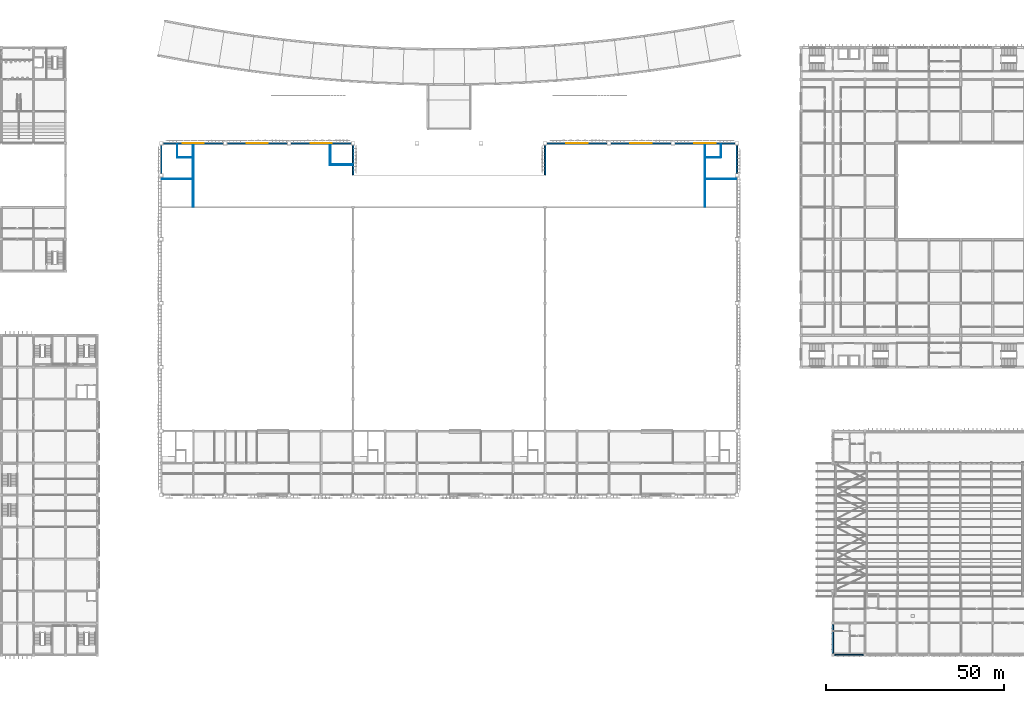
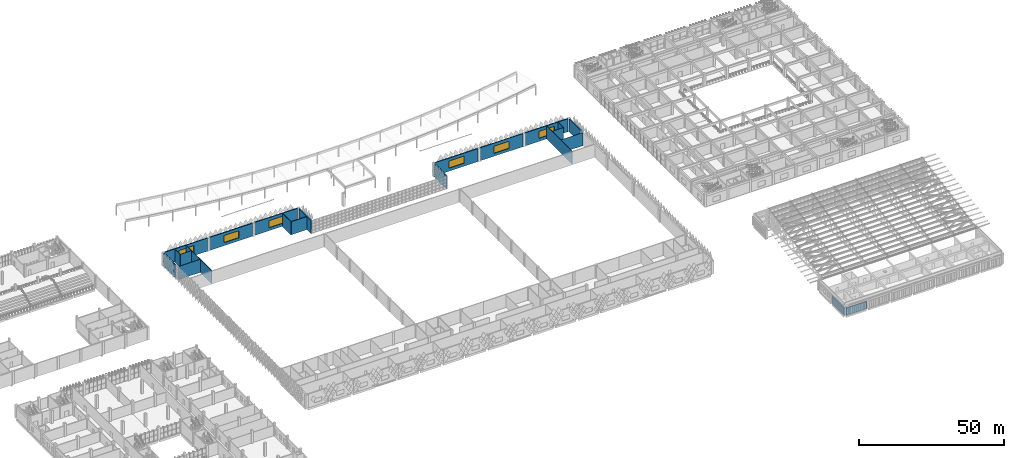
# One storey, part 119 of 185: 22 walls, 6 windows, 6 openings.
"""IFC4 building model written with IfcOpenShell, lengths in metres."""

from ifc_helpers import new_model, si_unit, direction, frame, frame_2d, origin, place, context, subcontext, project, spatial, rectangle, extrude, material, layer, layer_set, type_object, element, fill, save


model = new_model("IFC4")

# Units and contexts
model_context = context("Model", 3, precision=1e-05, world=origin(), true_north=direction((0.0, 1.0)))
body_context = subcontext(model_context, "Body", "Model", "MODEL_VIEW")
ifc_project = project(units=[si_unit("LENGTHUNIT", "METRE"), si_unit("AREAUNIT", "SQUARE_METRE"), si_unit("VOLUMEUNIT", "CUBIC_METRE"), si_unit("PLANEANGLEUNIT", "RADIAN"), si_unit("MASSUNIT", "GRAM", prefix="KILO")], contexts=[model_context])

# Site, building, storey
site_placement = place(None, origin())
site = spatial("IfcSite", under=ifc_project, at=site_placement, CompositionType="ELEMENT")
building_placement = place(site_placement, origin())
building = spatial("IfcBuilding", under=site, at=building_placement, Name="Opaline Strait Convention Centre", CompositionType="ELEMENT")
storey_placement = place(building_placement, frame((0.0, 0.0, 6.0)))
storey = spatial("IfcBuildingStorey", under=building, at=storey_placement, Name="L01", CompositionType="ELEMENT", Elevation=6.0)

# Wall, opening, window
ifc_material_1 = material(Name="Concrete C40", Category="concrete")
ifc_layer_1 = layer(ifc_material_1, 0.25)
ifc_material_2 = material(Name="Mineral wool insulation")
ifc_layer_2 = layer(ifc_material_2, 0.10009765625)
ifc_material_3 = material(Name="Gypsum board lining")
ifc_layer_3 = layer(ifc_material_3, 0.050048828125)
ifc_layer_set_1 = layer_set([ifc_layer_1, ifc_layer_2, ifc_layer_3], Name="Concrete C40, Mineral wool insulation, Gypsum board lining")
wall_type_1 = type_object("IfcWallType", Name="External wall RC 400 insulated", PredefinedType="SOLIDWALL", material=ifc_layer_set_1)
wall_1_placement = place(storey_placement, frame((99.5, 153.0, 0.0), z_axis=(0.0, 0.0, 1.0), x_axis=(1.0, 0.0, 0.0)))
wall_1 = element("IfcWall", 1, at=wall_1_placement, inside=storey, type_object=wall_type_1, Name="External wall N1", PredefinedType="SOLIDWALL", context=body_context, shape_type="SweptSolid", body=[
    extrude(rectangle(XDim=17.0, YDim=0.39990234375, at=frame_2d((8.5, 0.0))), origin(), (0.0, 0.0, 1.0), 5.5),
])
opening_1_placement = place(wall_1_placement, frame((5.5, 0.0, 1.25)))
opening_1 = element("IfcOpeningElement", 2, at=opening_1_placement, cuts=wall_1, Name="Opening XWN1", PredefinedType="OPENING", context=body_context, shape_type="SweptSolid", body=[
    extrude(rectangle(XDim=6.0, YDim=3.0, at=frame_2d((3.0, 1.5))), frame((0.0, 0.2099609375, 0.0), z_axis=(0.0, -1.0, 0.0), x_axis=(1.0, 0.0, 0.0)), (0.0, 0.0, 1.0), 0.419921875),
])
ifc_material_4 = material(Name="Double glazed unit low emissivity", Category="glass")
window_type = type_object("IfcWindowType", Name="Foyer slot window 6000 x 3000", PartitioningType="TRIPLE_PANEL_VERTICAL", PredefinedType="WINDOW", material=ifc_material_4)
window_1_placement = place(opening_1_placement, origin())
window_1 = element("IfcWindow", 3, at=window_1_placement, inside=storey, type_object=window_type, Name="Foyer slot window 1", OverallHeight=3.0, OverallWidth=6.0, PartitioningType="TRIPLE_PANEL_VERTICAL", PredefinedType="WINDOW", context=body_context, shape_type="SweptSolid", body=[
    extrude(rectangle(XDim=6.0, YDim=3.0, at=frame_2d((3.0, 1.5))), frame((0.0, 0.030029296875, 0.0), z_axis=(0.0, -1.0, 0.0), x_axis=(1.0, 0.0, 0.0)), (0.0, 0.0, 1.0), 0.06005859375),
])
fill(opening_1, window_1)

wall_2_placement = place(storey_placement, frame((117.5, 153.0, 0.0), z_axis=(0.0, 0.0, 1.0), x_axis=(1.0, 0.0, 0.0)))
wall_2 = element("IfcWall", 4, at=wall_2_placement, inside=storey, type_object=wall_type_1, Name="External wall N2", PredefinedType="SOLIDWALL", context=body_context, shape_type="SweptSolid", body=[
    extrude(rectangle(XDim=17.0, YDim=0.39990234375, at=frame_2d((8.5, 0.0))), origin(), (0.0, 0.0, 1.0), 5.5),
])
opening_2_placement = place(wall_2_placement, frame((5.5, 0.0, 1.25)))
opening_2 = element("IfcOpeningElement", 5, at=opening_2_placement, cuts=wall_2, Name="Opening XWN1", PredefinedType="OPENING", context=body_context, shape_type="SweptSolid", body=[
    extrude(rectangle(XDim=6.0, YDim=3.0, at=frame_2d((3.0, 1.5))), frame((0.0, 0.2099609375, 0.0), z_axis=(0.0, -1.0, 0.0), x_axis=(1.0, 0.0, 0.0)), (0.0, 0.0, 1.0), 0.419921875),
])
window_2_placement = place(opening_2_placement, origin())
window_2 = element("IfcWindow", 6, at=window_2_placement, inside=storey, type_object=window_type, Name="Foyer slot window 2", OverallHeight=3.0, OverallWidth=6.0, PartitioningType="TRIPLE_PANEL_VERTICAL", PredefinedType="WINDOW", context=body_context, shape_type="SweptSolid", body=[
    extrude(rectangle(XDim=6.0, YDim=3.0, at=frame_2d((3.0, 1.5))), frame((0.0, 0.030029296875, 0.0), z_axis=(0.0, -1.0, 0.0), x_axis=(1.0, 0.0, 0.0)), (0.0, 0.0, 1.0), 0.06005859375),
])
fill(opening_2, window_2)

wall_3_placement = place(storey_placement, frame((207.5, 153.0, 0.0), z_axis=(0.0, 0.0, 1.0), x_axis=(1.0, 0.0, 0.0)))
wall_3 = element("IfcWall", 7, at=wall_3_placement, inside=storey, type_object=wall_type_1, Name="External wall N4", PredefinedType="SOLIDWALL", context=body_context, shape_type="SweptSolid", body=[
    extrude(rectangle(XDim=17.0, YDim=0.39990234375, at=frame_2d((8.5, 0.0))), origin(), (0.0, 0.0, 1.0), 5.5),
])
opening_3_placement = place(wall_3_placement, frame((5.5, 0.0, 1.25)))
opening_3 = element("IfcOpeningElement", 8, at=opening_3_placement, cuts=wall_3, Name="Opening XWN1", PredefinedType="OPENING", context=body_context, shape_type="SweptSolid", body=[
    extrude(rectangle(XDim=6.0, YDim=3.0, at=frame_2d((3.0, 1.5))), frame((0.0, 0.2099609375, 0.0), z_axis=(0.0, -1.0, 0.0), x_axis=(1.0, 0.0, 0.0)), (0.0, 0.0, 1.0), 0.419921875),
])
window_3_placement = place(opening_3_placement, origin())
window_3 = element("IfcWindow", 9, at=window_3_placement, inside=storey, type_object=window_type, Name="Foyer slot window 4", OverallHeight=3.0, OverallWidth=6.0, PartitioningType="TRIPLE_PANEL_VERTICAL", PredefinedType="WINDOW", context=body_context, shape_type="SweptSolid", body=[
    extrude(rectangle(XDim=6.0, YDim=3.0, at=frame_2d((3.0, 1.5))), frame((0.0, 0.030029296875, 0.0), z_axis=(0.0, -1.0, 0.0), x_axis=(1.0, 0.0, 0.0)), (0.0, 0.0, 1.0), 0.06005859375),
])
fill(opening_3, window_3)

wall_4_placement = place(storey_placement, frame((225.5, 153.0, 0.0), z_axis=(0.0, 0.0, 1.0), x_axis=(1.0, 0.0, 0.0)))
wall_4 = element("IfcWall", 10, at=wall_4_placement, inside=storey, type_object=wall_type_1, Name="External wall N5", PredefinedType="SOLIDWALL", context=body_context, shape_type="SweptSolid", body=[
    extrude(rectangle(XDim=17.0, YDim=0.39990234375, at=frame_2d((8.5, 0.0))), origin(), (0.0, 0.0, 1.0), 5.5),
])
opening_4_placement = place(wall_4_placement, frame((5.5, 0.0, 1.25)))
opening_4 = element("IfcOpeningElement", 11, at=opening_4_placement, cuts=wall_4, Name="Opening XWN1", PredefinedType="OPENING", context=body_context, shape_type="SweptSolid", body=[
    extrude(rectangle(XDim=6.0, YDim=3.0, at=frame_2d((3.0, 1.5))), frame((0.0, 0.2099609375, 0.0), z_axis=(0.0, -1.0, 0.0), x_axis=(1.0, 0.0, 0.0)), (0.0, 0.0, 1.0), 0.419921875),
])
window_4_placement = place(opening_4_placement, origin())
window_4 = element("IfcWindow", 12, at=window_4_placement, inside=storey, type_object=window_type, Name="Foyer slot window 5", OverallHeight=3.0, OverallWidth=6.0, PartitioningType="TRIPLE_PANEL_VERTICAL", PredefinedType="WINDOW", context=body_context, shape_type="SweptSolid", body=[
    extrude(rectangle(XDim=6.0, YDim=3.0, at=frame_2d((3.0, 1.5))), frame((0.0, 0.030029296875, 0.0), z_axis=(0.0, -1.0, 0.0), x_axis=(1.0, 0.0, 0.0)), (0.0, 0.0, 1.0), 0.06005859375),
])
fill(opening_4, window_4)

wall_5_placement = place(storey_placement, frame((243.5, 153.0, 0.0), z_axis=(0.0, 0.0, 1.0), x_axis=(1.0, 0.0, 0.0)))
wall_5 = element("IfcWall", 13, at=wall_5_placement, inside=storey, type_object=wall_type_1, Name="External wall N6", PredefinedType="SOLIDWALL", context=body_context, shape_type="SweptSolid", body=[
    extrude(rectangle(XDim=17.0, YDim=0.39990234375, at=frame_2d((8.5, 0.0))), origin(), (0.0, 0.0, 1.0), 5.5),
])
opening_5_placement = place(wall_5_placement, frame((5.5, 0.0, 1.25)))
opening_5 = element("IfcOpeningElement", 14, at=opening_5_placement, cuts=wall_5, Name="Opening XWN1", PredefinedType="OPENING", context=body_context, shape_type="SweptSolid", body=[
    extrude(rectangle(XDim=6.0, YDim=3.0, at=frame_2d((3.0, 1.5))), frame((0.0, 0.2099609375, 0.0), z_axis=(0.0, -1.0, 0.0), x_axis=(1.0, 0.0, 0.0)), (0.0, 0.0, 1.0), 0.419921875),
])
window_5_placement = place(opening_5_placement, origin())
window_5 = element("IfcWindow", 15, at=window_5_placement, inside=storey, type_object=window_type, Name="Foyer slot window 6", OverallHeight=3.0, OverallWidth=6.0, PartitioningType="TRIPLE_PANEL_VERTICAL", PredefinedType="WINDOW", context=body_context, shape_type="SweptSolid", body=[
    extrude(rectangle(XDim=6.0, YDim=3.0, at=frame_2d((3.0, 1.5))), frame((0.0, 0.030029296875, 0.0), z_axis=(0.0, -1.0, 0.0), x_axis=(1.0, 0.0, 0.0)), (0.0, 0.0, 1.0), 0.06005859375),
])
fill(opening_5, window_5)

# Walls
for number, where, z_axis, x_axis, name in (
    (16, (99.0, 144.5, 0.0), (0.0, 0.0, 1.0), (0.0, 1.0, 0.0), "External wall W7"),
    (17, (261.0, 144.5, 0.0), (0.0, 0.0, 1.0), (0.0, 1.0, 0.0), "External wall E7"),
):
    element("IfcWall", number, at=place(storey_placement, frame(where, z_axis=z_axis, x_axis=x_axis)), inside=storey, type_object=wall_type_1, Name=name, PredefinedType="SOLIDWALL", context=body_context, shape_type="SweptSolid", body=[
        extrude(rectangle(XDim=8.0, YDim=0.39990234375, at=frame_2d((4.0, 0.0))), origin(), (0.0, 0.0, 1.0), 5.5),
    ])
wall_6_placement = place(storey_placement, frame((207.0, 144.030029296875, 0.0), z_axis=(0.0, 0.0, 1.0), x_axis=(0.0, 1.0, 0.0)))
element("IfcWall", 18, at=wall_6_placement, inside=storey, type_object=wall_type_1, Name="Recess side wall E", PredefinedType="SOLIDWALL", context=body_context, shape_type="SweptSolid", body=[
    extrude(rectangle(XDim=8.469970703125, YDim=0.39990234375, at=frame_2d((4.23486328125, 0.0))), origin(), (0.0, 0.0, 1.0), 5.5),
])

# Wall, opening, window
ifc_layer_4 = layer(ifc_material_1, 0.300048828125)
ifc_layer_5 = layer(ifc_material_2, 0.050048828125)
ifc_layer_6 = layer(ifc_material_3, 0.050048828125)
ifc_layer_set_2 = layer_set([ifc_layer_4, ifc_layer_5, ifc_layer_6], Name="Concrete C40, Mineral wool insulation, Gypsum board lining")
wall_type_2 = type_object("IfcWallType", Name="External wall RC 400 stair core", PredefinedType="SOLIDWALL", material=ifc_layer_set_2)
wall_7_placement = place(storey_placement, frame((135.5, 153.0, 0.0), z_axis=(0.0, 0.0, 1.0), x_axis=(1.0, 0.0, 0.0)))
wall_7 = element("IfcWall", 19, at=wall_7_placement, inside=storey, type_object=wall_type_2, Name="External wall N3", PredefinedType="SOLIDWALL", context=body_context, shape_type="SweptSolid", body=[
    extrude(rectangle(XDim=17.0, YDim=0.39990234375, at=frame_2d((8.5, 0.0))), origin(), (0.0, 0.0, 1.0), 5.5),
])
opening_6_placement = place(wall_7_placement, frame((5.5, 0.0, 1.25)))
opening_6 = element("IfcOpeningElement", 20, at=opening_6_placement, cuts=wall_7, Name="Opening XWN1", PredefinedType="OPENING", context=body_context, shape_type="SweptSolid", body=[
    extrude(rectangle(XDim=6.0, YDim=3.0, at=frame_2d((3.0, 1.5))), frame((0.0, 0.2099609375, 0.0), z_axis=(0.0, -1.0, 0.0), x_axis=(1.0, 0.0, 0.0)), (0.0, 0.0, 1.0), 0.419921875),
])
window_6_placement = place(opening_6_placement, origin())
window_6 = element("IfcWindow", 21, at=window_6_placement, inside=storey, type_object=window_type, Name="Foyer slot window 3", OverallHeight=3.0, OverallWidth=6.0, PartitioningType="TRIPLE_PANEL_VERTICAL", PredefinedType="WINDOW", context=body_context, shape_type="SweptSolid", body=[
    extrude(rectangle(XDim=6.0, YDim=3.0, at=frame_2d((3.0, 1.5))), frame((0.0, 0.030029296875, 0.0), z_axis=(0.0, -1.0, 0.0), x_axis=(1.0, 0.0, 0.0)), (0.0, 0.0, 1.0), 0.06005859375),
])
fill(opening_6, window_6)

# Walls
wall_8_placement = place(storey_placement, frame((153.0, 144.030029296875, 0.0), z_axis=(0.0, 0.0, 1.0), x_axis=(0.0, 1.0, 0.0)))
element("IfcWall", 22, at=wall_8_placement, inside=storey, type_object=wall_type_2, Name="Recess side wall W", PredefinedType="SOLIDWALL", context=body_context, shape_type="SweptSolid", body=[
    extrude(rectangle(XDim=8.469970703125, YDim=0.39990234375, at=frame_2d((4.23486328125, 0.0))), origin(), (0.0, 0.0, 1.0), 5.5),
])
ifc_material_5 = material(Name="Lightweight blockwork", Category="masonry")
ifc_layer_7 = layer(ifc_material_5, 0.25)
ifc_layer_set_3 = layer_set([ifc_layer_7], Name="Lightweight blockwork")
wall_type_3 = type_object("IfcWallType", Name="Partition EI 120 blockwork 250", PredefinedType="PARTITIONING", material=ifc_layer_set_3)
wall_9_placement = place(storey_placement, frame((146.5, 146.875, 0.0), z_axis=(0.0, 0.0, 1.0), x_axis=(0.0, 1.0, 0.0)))
element("IfcWall", 23, at=wall_9_placement, inside=storey, type_object=wall_type_3, Name="Fire control room west wall", PredefinedType="PARTITIONING", context=body_context, shape_type="SweptSolid", body=[
    extrude(rectangle(XDim=5.925048828125, YDim=0.25, at=frame_2d((2.96240234375, 0.0))), origin(), (0.0, 0.0, 1.0), 5.5),
])
wall_10_placement = place(storey_placement, frame((146.625, 147.0, 0.0), z_axis=(0.0, 0.0, 1.0), x_axis=(1.0, 0.0, 0.0)))
element("IfcWall", 24, at=wall_10_placement, inside=storey, type_object=wall_type_3, Name="Fire control room south wall", PredefinedType="PARTITIONING", context=body_context, shape_type="SweptSolid", body=[
    extrude(rectangle(XDim=6.175048828125, YDim=0.25, at=frame_2d((3.08740234375, 0.0))), origin(), (0.0, 0.0, 1.0), 5.5),
])
ifc_layer_8 = layer(ifc_material_5, 0.199951171875)
ifc_layer_set_4 = layer_set([ifc_layer_8], Name="Lightweight blockwork")
wall_type_4 = type_object("IfcWallType", Name="Partition EI 60 blockwork 200", PredefinedType="PARTITIONING", material=ifc_layer_set_4)
for number, where, z_axis, x_axis, name in (
    (25, (108.0, 135.199951171875, 0.0), (0.0, 0.0, 1.0), (0.0, 1.0, 0.0), "WC block front wall"),
    (26, (252.0, 135.199951171875, 0.0), (0.0, 0.0, 1.0), (0.0, 1.0, 0.0), "WC block front wall"),
):
    element("IfcWall", number, at=place(storey_placement, frame(where, z_axis=z_axis, x_axis=x_axis)), inside=storey, type_object=wall_type_4, Name=name, PredefinedType="PARTITIONING", context=body_context, shape_type="SweptSolid", body=[
        extrude(rectangle(XDim=17.60009765625, YDim=0.199951171875, at=frame_2d((8.800048828125, 0.0))), origin(), (0.0, 0.0, 1.0), 5.5),
    ])
ifc_material_6 = material(Name="Concrete C40 precast", Category="concrete")
ifc_layer_9 = layer(ifc_material_6, 0.080078125)
ifc_material_7 = material(Name="Ventilated air cavity")
ifc_layer_10 = layer(ifc_material_7, 0.030029296875)
ifc_layer_11 = layer(ifc_material_2, 0.139892578125)
ifc_material_8 = material(Name="Concrete C30", Category="concrete")
ifc_layer_12 = layer(ifc_material_8, 0.14990234375)
ifc_layer_set_5 = layer_set([ifc_layer_9, ifc_layer_10, ifc_layer_11, ifc_layer_12], Name="Concrete C40 precast, Ventilated air cavity, Mineral wool insulation, Concrete C30")
wall_type_5 = type_object("IfcWallType", Name="Precast insulated wall 400", PredefinedType="STANDARD", material=ifc_layer_set_5)
for number, where, z_axis, x_axis, name in (
    (27, (288.0, 9.39990234375, 0.0), (0.0, 0.0, 1.0), (0.0, 1.0, 0.0), "Ballroom west wall L01 W9"),
    (28, (288.39990234375, 9.0, 0.0), (0.0, 0.0, 1.0), (1.0, 0.0, 0.0), "Ballroom south wall L01 bay 1"),
):
    element("IfcWall", number, at=place(storey_placement, frame(where, z_axis=z_axis, x_axis=x_axis)), inside=storey, type_object=wall_type_5, Name=name, PredefinedType="STANDARD", context=body_context, shape_type="SweptSolid", body=[
        extrude(rectangle(XDim=8.2001953125, YDim=0.39990234375, at=frame_2d((4.10009765625, 0.0))), origin(), (0.0, 0.0, 1.0), 3.050048828125),
    ])
ifc_material_9 = material(Name="Gypsum board partition")
ifc_layer_13 = layer(ifc_material_9, 0.10009765625)
ifc_layer_set_6 = layer_set([ifc_layer_13], Name="Gypsum board partition")
wall_type_6 = type_object("IfcWallType", Name="WC partition gypsum 100", PredefinedType="PARTITIONING", material=ifc_layer_set_6)
wall_11_placement = place(storey_placement, frame((99.199951171875, 143.0, 0.0), z_axis=(0.0, 0.0, 1.0), x_axis=(1.0, 0.0, 0.0)))
element("IfcWall", 29, at=wall_11_placement, inside=storey, type_object=wall_type_6, Name="WC partition", PredefinedType="PARTITIONING", context=body_context, shape_type="SweptSolid", body=[
    extrude(rectangle(XDim=8.699951171875, YDim=0.10009765625, at=frame_2d((4.35009765625, 0.0))), origin(), (0.0, 0.0, 1.0), 5.5),
])
wall_12_placement = place(storey_placement, frame((103.5, 149.0, 0.0), z_axis=(0.0, 0.0, 1.0), x_axis=(1.0, 0.0, 0.0)))
element("IfcWall", 30, at=wall_12_placement, inside=storey, type_object=wall_type_6, Name="WC partition", PredefinedType="PARTITIONING", context=body_context, shape_type="SweptSolid", body=[
    extrude(rectangle(XDim=4.39990234375, YDim=0.10009765625, at=frame_2d((2.199951171875, 0.0))), origin(), (0.0, 0.0, 1.0), 5.5),
])
wall_13_placement = place(storey_placement, frame((103.5, 149.10009765625, 0.0), z_axis=(0.0, 0.0, 1.0), x_axis=(0.0, 1.0, 0.0)))
element("IfcWall", 31, at=wall_13_placement, inside=storey, type_object=wall_type_6, Name="WC partition", PredefinedType="PARTITIONING", context=body_context, shape_type="SweptSolid", body=[
    extrude(rectangle(XDim=3.699951171875, YDim=0.10009765625, at=frame_2d((1.85009765625, 0.0))), origin(), (0.0, 0.0, 1.0), 5.5),
])
wall_14_placement = place(storey_placement, frame((260.800048828125, 143.0, 0.0), z_axis=(0.0, 0.0, 1.0), x_axis=(-1.0, 0.0, 0.0)))
element("IfcWall", 32, at=wall_14_placement, inside=storey, type_object=wall_type_6, Name="WC partition", PredefinedType="PARTITIONING", context=body_context, shape_type="SweptSolid", body=[
    extrude(rectangle(XDim=8.900146484375, YDim=0.10009765625, at=frame_2d((4.4501953125, 0.0))), origin(), (0.0, 0.0, 1.0), 5.5),
])
wall_15_placement = place(storey_placement, frame((256.5, 149.0, 0.0), z_axis=(0.0, 0.0, 1.0), x_axis=(-1.0, 0.0, 0.0)))
element("IfcWall", 33, at=wall_15_placement, inside=storey, type_object=wall_type_6, Name="WC partition", PredefinedType="PARTITIONING", context=body_context, shape_type="SweptSolid", body=[
    extrude(rectangle(XDim=4.60009765625, YDim=0.10009765625, at=frame_2d((2.300048828125, 0.0))), origin(), (0.0, 0.0, 1.0), 5.5),
])
wall_16_placement = place(storey_placement, frame((256.5, 149.10009765625, 0.0), z_axis=(0.0, 0.0, 1.0), x_axis=(0.0, 1.0, 0.0)))
element("IfcWall", 34, at=wall_16_placement, inside=storey, type_object=wall_type_6, Name="WC partition", PredefinedType="PARTITIONING", context=body_context, shape_type="SweptSolid", body=[
    extrude(rectangle(XDim=3.699951171875, YDim=0.10009765625, at=frame_2d((1.85009765625, 0.0))), origin(), (0.0, 0.0, 1.0), 5.5),
])

save(model, "model.ifc")
